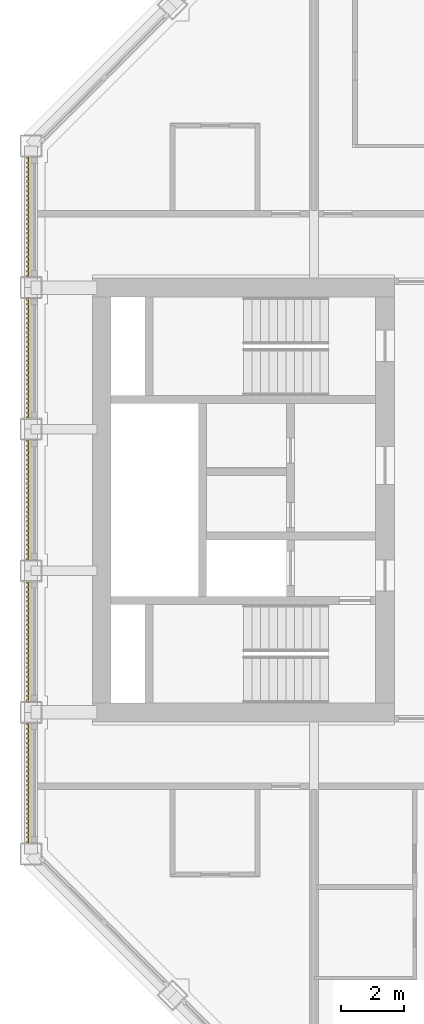
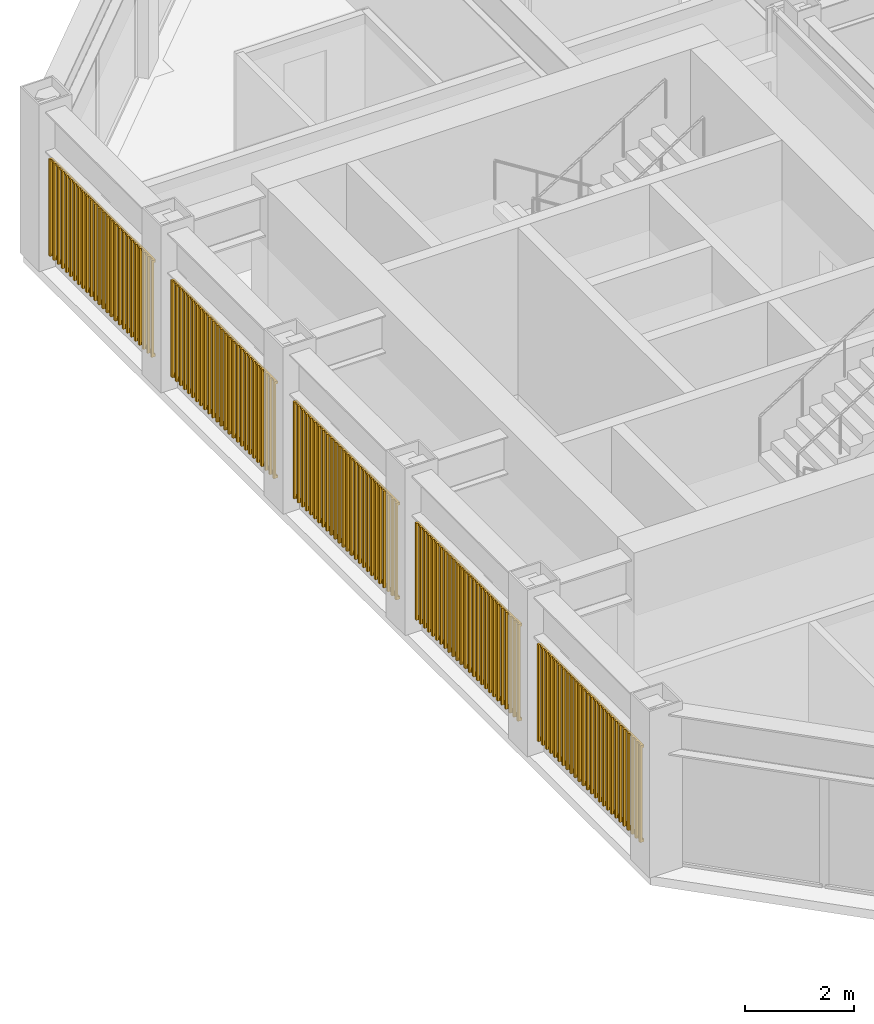
# One storey, part 15 of 18: 1 shading device.
"""IFC4 building model written with IfcOpenShell, lengths in metres."""

from ifc_helpers import new_model, si_unit, direction, frame, origin, origin_2d, place, context, subcontext, project, spatial, rectangle, extrude, material, type_object, element, save


model = new_model("IFC4")

# Units and contexts
model_context = context("Model", 3, precision=1e-05, world=origin(), true_north=direction((0.0, 1.0)))
body_context = subcontext(model_context, "Body", "Model", "MODEL_VIEW")
ifc_project = project(units=[si_unit("LENGTHUNIT", "METRE"), si_unit("AREAUNIT", "SQUARE_METRE"), si_unit("VOLUMEUNIT", "CUBIC_METRE"), si_unit("PLANEANGLEUNIT", "RADIAN"), si_unit("MASSUNIT", "GRAM", prefix="KILO")], contexts=[model_context])

# Site, building, storey
site_placement = place(None, origin())
site = spatial("IfcSite", under=ifc_project, at=site_placement, CompositionType="ELEMENT")
building_placement = place(site_placement, origin())
building = spatial("IfcBuilding", under=site, at=building_placement, Name="Msasa Ring Tower", CompositionType="ELEMENT")
storey_placement = place(building_placement, frame((0.0, 0.0, 249.550048828125)))
storey = spatial("IfcBuildingStorey", under=building, at=storey_placement, Name="L65", CompositionType="ELEMENT", Elevation=249.550048828125)

# Shading device
ifc_material = material(Name="Extruded terracotta on aluminium carriers", Category="masonry")
shading_device_type = type_object("IfcShadingDeviceType", Name="BS1 TERRACOTTA BAGUETTE SCREEN 50x50 AT 150", PredefinedType="USERDEFINED", material=ifc_material)
shading_device_placement = place(storey_placement, origin())
element("IfcShadingDevice", 1, at=shading_device_placement, inside=storey, type_object=shading_device_type, Name="Terracotta baguette screen W L65", ObjectType="BAGUETTE", PredefinedType="USERDEFINED", context=body_context, shape_type="SweptSolid", body=[
    extrude(rectangle(XDim=0.06005859375, YDim=0.0400390625, at=origin_2d()), frame((-20.330078125, -10.89990234375, 0.329833984375), z_axis=(0.0, 1.0, 0.0), x_axis=(0.0, 0.0, 1.0)), (0.0, 0.0, 1.0), 3.800048828125),
    extrude(rectangle(XDim=0.06005859375, YDim=0.0400390625, at=origin_2d()), frame((-20.330078125, -10.89990234375, 2.448974609375), z_axis=(0.0, 1.0, 0.0), x_axis=(0.0, 0.0, 1.0)), (0.0, 0.0, 1.0), 3.800048828125),
    extrude(rectangle(XDim=0.050048828125, YDim=0.050048828125, at=origin_2d()), frame((-20.3701171875, -10.875, 0.300048828125), z_axis=(0.0, 0.0, 1.0), x_axis=(0.0, 1.0, 0.0)), (0.0, 0.0, 1.0), 2.178955078125),
    extrude(rectangle(XDim=0.050048828125, YDim=0.050048828125, at=origin_2d()), frame((-20.3701171875, -10.72509765625, 0.300048828125), z_axis=(0.0, 0.0, 1.0), x_axis=(0.0, 1.0, 0.0)), (0.0, 0.0, 1.0), 2.178955078125),
    extrude(rectangle(XDim=0.050048828125, YDim=0.050048828125, at=origin_2d()), frame((-20.3701171875, -10.574951171875, 0.300048828125), z_axis=(0.0, 0.0, 1.0), x_axis=(0.0, 1.0, 0.0)), (0.0, 0.0, 1.0), 2.178955078125),
    extrude(rectangle(XDim=0.050048828125, YDim=0.050048828125, at=origin_2d()), frame((-20.3701171875, -10.425048828125, 0.300048828125), z_axis=(0.0, 0.0, 1.0), x_axis=(0.0, 1.0, 0.0)), (0.0, 0.0, 1.0), 2.178955078125),
    extrude(rectangle(XDim=0.050048828125, YDim=0.050048828125, at=origin_2d()), frame((-20.3701171875, -10.27490234375, 0.300048828125), z_axis=(0.0, 0.0, 1.0), x_axis=(0.0, 1.0, 0.0)), (0.0, 0.0, 1.0), 2.178955078125),
    extrude(rectangle(XDim=0.050048828125, YDim=0.050048828125, at=origin_2d()), frame((-20.3701171875, -10.125, 0.300048828125), z_axis=(0.0, 0.0, 1.0), x_axis=(0.0, 1.0, 0.0)), (0.0, 0.0, 1.0), 2.178955078125),
    extrude(rectangle(XDim=0.050048828125, YDim=0.050048828125, at=origin_2d()), frame((-20.3701171875, -9.97509765625, 0.300048828125), z_axis=(0.0, 0.0, 1.0), x_axis=(0.0, 1.0, 0.0)), (0.0, 0.0, 1.0), 2.178955078125),
    extrude(rectangle(XDim=0.050048828125, YDim=0.050048828125, at=origin_2d()), frame((-20.3701171875, -9.824951171875, 0.300048828125), z_axis=(0.0, 0.0, 1.0), x_axis=(0.0, 1.0, 0.0)), (0.0, 0.0, 1.0), 2.178955078125),
    extrude(rectangle(XDim=0.050048828125, YDim=0.050048828125, at=origin_2d()), frame((-20.3701171875, -9.675048828125, 0.300048828125), z_axis=(0.0, 0.0, 1.0), x_axis=(0.0, 1.0, 0.0)), (0.0, 0.0, 1.0), 2.178955078125),
    extrude(rectangle(XDim=0.050048828125, YDim=0.050048828125, at=origin_2d()), frame((-20.3701171875, -9.52490234375, 0.300048828125), z_axis=(0.0, 0.0, 1.0), x_axis=(0.0, 1.0, 0.0)), (0.0, 0.0, 1.0), 2.178955078125),
    extrude(rectangle(XDim=0.050048828125, YDim=0.050048828125, at=origin_2d()), frame((-20.3701171875, -9.375, 0.300048828125), z_axis=(0.0, 0.0, 1.0), x_axis=(0.0, 1.0, 0.0)), (0.0, 0.0, 1.0), 2.178955078125),
    extrude(rectangle(XDim=0.050048828125, YDim=0.050048828125, at=origin_2d()), frame((-20.3701171875, -9.22509765625, 0.300048828125), z_axis=(0.0, 0.0, 1.0), x_axis=(0.0, 1.0, 0.0)), (0.0, 0.0, 1.0), 2.178955078125),
    extrude(rectangle(XDim=0.050048828125, YDim=0.050048828125, at=origin_2d()), frame((-20.3701171875, -9.074951171875, 0.300048828125), z_axis=(0.0, 0.0, 1.0), x_axis=(0.0, 1.0, 0.0)), (0.0, 0.0, 1.0), 2.178955078125),
    extrude(rectangle(XDim=0.050048828125, YDim=0.050048828125, at=origin_2d()), frame((-20.3701171875, -8.925048828125, 0.300048828125), z_axis=(0.0, 0.0, 1.0), x_axis=(0.0, 1.0, 0.0)), (0.0, 0.0, 1.0), 2.178955078125),
    extrude(rectangle(XDim=0.050048828125, YDim=0.050048828125, at=origin_2d()), frame((-20.3701171875, -8.77490234375, 0.300048828125), z_axis=(0.0, 0.0, 1.0), x_axis=(0.0, 1.0, 0.0)), (0.0, 0.0, 1.0), 2.178955078125),
    extrude(rectangle(XDim=0.050048828125, YDim=0.050048828125, at=origin_2d()), frame((-20.3701171875, -8.625, 0.300048828125), z_axis=(0.0, 0.0, 1.0), x_axis=(0.0, 1.0, 0.0)), (0.0, 0.0, 1.0), 2.178955078125),
    extrude(rectangle(XDim=0.050048828125, YDim=0.050048828125, at=origin_2d()), frame((-20.3701171875, -8.47509765625, 0.300048828125), z_axis=(0.0, 0.0, 1.0), x_axis=(0.0, 1.0, 0.0)), (0.0, 0.0, 1.0), 2.178955078125),
    extrude(rectangle(XDim=0.050048828125, YDim=0.050048828125, at=origin_2d()), frame((-20.3701171875, -8.324951171875, 0.300048828125), z_axis=(0.0, 0.0, 1.0), x_axis=(0.0, 1.0, 0.0)), (0.0, 0.0, 1.0), 2.178955078125),
    extrude(rectangle(XDim=0.050048828125, YDim=0.050048828125, at=origin_2d()), frame((-20.3701171875, -8.175048828125, 0.300048828125), z_axis=(0.0, 0.0, 1.0), x_axis=(0.0, 1.0, 0.0)), (0.0, 0.0, 1.0), 2.178955078125),
    extrude(rectangle(XDim=0.050048828125, YDim=0.050048828125, at=origin_2d()), frame((-20.3701171875, -8.02490234375, 0.300048828125), z_axis=(0.0, 0.0, 1.0), x_axis=(0.0, 1.0, 0.0)), (0.0, 0.0, 1.0), 2.178955078125),
    extrude(rectangle(XDim=0.050048828125, YDim=0.050048828125, at=origin_2d()), frame((-20.3701171875, -7.875, 0.300048828125), z_axis=(0.0, 0.0, 1.0), x_axis=(0.0, 1.0, 0.0)), (0.0, 0.0, 1.0), 2.178955078125),
    extrude(rectangle(XDim=0.050048828125, YDim=0.050048828125, at=origin_2d()), frame((-20.3701171875, -7.72509765625, 0.300048828125), z_axis=(0.0, 0.0, 1.0), x_axis=(0.0, 1.0, 0.0)), (0.0, 0.0, 1.0), 2.178955078125),
    extrude(rectangle(XDim=0.050048828125, YDim=0.050048828125, at=origin_2d()), frame((-20.3701171875, -7.574951171875, 0.300048828125), z_axis=(0.0, 0.0, 1.0), x_axis=(0.0, 1.0, 0.0)), (0.0, 0.0, 1.0), 2.178955078125),
    extrude(rectangle(XDim=0.050048828125, YDim=0.050048828125, at=origin_2d()), frame((-20.3701171875, -7.425048828125, 0.300048828125), z_axis=(0.0, 0.0, 1.0), x_axis=(0.0, 1.0, 0.0)), (0.0, 0.0, 1.0), 2.178955078125),
    extrude(rectangle(XDim=0.050048828125, YDim=0.050048828125, at=origin_2d()), frame((-20.3701171875, -7.27490234375, 0.300048828125), z_axis=(0.0, 0.0, 1.0), x_axis=(0.0, 1.0, 0.0)), (0.0, 0.0, 1.0), 2.178955078125),
    extrude(rectangle(XDim=0.050048828125, YDim=0.050048828125, at=origin_2d()), frame((-20.3701171875, -7.125, 0.300048828125), z_axis=(0.0, 0.0, 1.0), x_axis=(0.0, 1.0, 0.0)), (0.0, 0.0, 1.0), 2.178955078125),
    extrude(rectangle(XDim=0.06005859375, YDim=0.0400390625, at=origin_2d()), frame((-20.330078125, -6.39990234375, 0.329833984375), z_axis=(0.0, 1.0, 0.0), x_axis=(0.0, 0.0, 1.0)), (0.0, 0.0, 1.0), 3.800048828125),
    extrude(rectangle(XDim=0.06005859375, YDim=0.0400390625, at=origin_2d()), frame((-20.330078125, -6.39990234375, 2.448974609375), z_axis=(0.0, 1.0, 0.0), x_axis=(0.0, 0.0, 1.0)), (0.0, 0.0, 1.0), 3.800048828125),
    extrude(rectangle(XDim=0.050048828125, YDim=0.050048828125, at=origin_2d()), frame((-20.3701171875, -6.375, 0.300048828125), z_axis=(0.0, 0.0, 1.0), x_axis=(0.0, 1.0, 0.0)), (0.0, 0.0, 1.0), 2.178955078125),
    extrude(rectangle(XDim=0.050048828125, YDim=0.050048828125, at=origin_2d()), frame((-20.3701171875, -6.22509765625, 0.300048828125), z_axis=(0.0, 0.0, 1.0), x_axis=(0.0, 1.0, 0.0)), (0.0, 0.0, 1.0), 2.178955078125),
    extrude(rectangle(XDim=0.050048828125, YDim=0.050048828125, at=origin_2d()), frame((-20.3701171875, -6.074951171875, 0.300048828125), z_axis=(0.0, 0.0, 1.0), x_axis=(0.0, 1.0, 0.0)), (0.0, 0.0, 1.0), 2.178955078125),
    extrude(rectangle(XDim=0.050048828125, YDim=0.050048828125, at=origin_2d()), frame((-20.3701171875, -5.925048828125, 0.300048828125), z_axis=(0.0, 0.0, 1.0), x_axis=(0.0, 1.0, 0.0)), (0.0, 0.0, 1.0), 2.178955078125),
    extrude(rectangle(XDim=0.050048828125, YDim=0.050048828125, at=origin_2d()), frame((-20.3701171875, -5.77490234375, 0.300048828125), z_axis=(0.0, 0.0, 1.0), x_axis=(0.0, 1.0, 0.0)), (0.0, 0.0, 1.0), 2.178955078125),
    extrude(rectangle(XDim=0.050048828125, YDim=0.050048828125, at=origin_2d()), frame((-20.3701171875, -5.625, 0.300048828125), z_axis=(0.0, 0.0, 1.0), x_axis=(0.0, 1.0, 0.0)), (0.0, 0.0, 1.0), 2.178955078125),
    extrude(rectangle(XDim=0.050048828125, YDim=0.050048828125, at=origin_2d()), frame((-20.3701171875, -5.47509765625, 0.300048828125), z_axis=(0.0, 0.0, 1.0), x_axis=(0.0, 1.0, 0.0)), (0.0, 0.0, 1.0), 2.178955078125),
    extrude(rectangle(XDim=0.050048828125, YDim=0.050048828125, at=origin_2d()), frame((-20.3701171875, -5.324951171875, 0.300048828125), z_axis=(0.0, 0.0, 1.0), x_axis=(0.0, 1.0, 0.0)), (0.0, 0.0, 1.0), 2.178955078125),
    extrude(rectangle(XDim=0.050048828125, YDim=0.050048828125, at=origin_2d()), frame((-20.3701171875, -5.175048828125, 0.300048828125), z_axis=(0.0, 0.0, 1.0), x_axis=(0.0, 1.0, 0.0)), (0.0, 0.0, 1.0), 2.178955078125),
    extrude(rectangle(XDim=0.050048828125, YDim=0.050048828125, at=origin_2d()), frame((-20.3701171875, -5.02490234375, 0.300048828125), z_axis=(0.0, 0.0, 1.0), x_axis=(0.0, 1.0, 0.0)), (0.0, 0.0, 1.0), 2.178955078125),
    extrude(rectangle(XDim=0.050048828125, YDim=0.050048828125, at=origin_2d()), frame((-20.3701171875, -4.875, 0.300048828125), z_axis=(0.0, 0.0, 1.0), x_axis=(0.0, 1.0, 0.0)), (0.0, 0.0, 1.0), 2.178955078125),
    extrude(rectangle(XDim=0.050048828125, YDim=0.050048828125, at=origin_2d()), frame((-20.3701171875, -4.72509765625, 0.300048828125), z_axis=(0.0, 0.0, 1.0), x_axis=(0.0, 1.0, 0.0)), (0.0, 0.0, 1.0), 2.178955078125),
    extrude(rectangle(XDim=0.050048828125, YDim=0.050048828125, at=origin_2d()), frame((-20.3701171875, -4.574951171875, 0.300048828125), z_axis=(0.0, 0.0, 1.0), x_axis=(0.0, 1.0, 0.0)), (0.0, 0.0, 1.0), 2.178955078125),
    extrude(rectangle(XDim=0.050048828125, YDim=0.050048828125, at=origin_2d()), frame((-20.3701171875, -4.425048828125, 0.300048828125), z_axis=(0.0, 0.0, 1.0), x_axis=(0.0, 1.0, 0.0)), (0.0, 0.0, 1.0), 2.178955078125),
    extrude(rectangle(XDim=0.050048828125, YDim=0.050048828125, at=origin_2d()), frame((-20.3701171875, -4.27490234375, 0.300048828125), z_axis=(0.0, 0.0, 1.0), x_axis=(0.0, 1.0, 0.0)), (0.0, 0.0, 1.0), 2.178955078125),
    extrude(rectangle(XDim=0.050048828125, YDim=0.050048828125, at=origin_2d()), frame((-20.3701171875, -4.125, 0.300048828125), z_axis=(0.0, 0.0, 1.0), x_axis=(0.0, 1.0, 0.0)), (0.0, 0.0, 1.0), 2.178955078125),
    extrude(rectangle(XDim=0.050048828125, YDim=0.050048828125, at=origin_2d()), frame((-20.3701171875, -3.97509765625, 0.300048828125), z_axis=(0.0, 0.0, 1.0), x_axis=(0.0, 1.0, 0.0)), (0.0, 0.0, 1.0), 2.178955078125),
    extrude(rectangle(XDim=0.050048828125, YDim=0.050048828125, at=origin_2d()), frame((-20.3701171875, -3.824951171875, 0.300048828125), z_axis=(0.0, 0.0, 1.0), x_axis=(0.0, 1.0, 0.0)), (0.0, 0.0, 1.0), 2.178955078125),
    extrude(rectangle(XDim=0.050048828125, YDim=0.050048828125, at=origin_2d()), frame((-20.3701171875, -3.675048828125, 0.300048828125), z_axis=(0.0, 0.0, 1.0), x_axis=(0.0, 1.0, 0.0)), (0.0, 0.0, 1.0), 2.178955078125),
    extrude(rectangle(XDim=0.050048828125, YDim=0.050048828125, at=origin_2d()), frame((-20.3701171875, -3.52490234375, 0.300048828125), z_axis=(0.0, 0.0, 1.0), x_axis=(0.0, 1.0, 0.0)), (0.0, 0.0, 1.0), 2.178955078125),
    extrude(rectangle(XDim=0.050048828125, YDim=0.050048828125, at=origin_2d()), frame((-20.3701171875, -3.375, 0.300048828125), z_axis=(0.0, 0.0, 1.0), x_axis=(0.0, 1.0, 0.0)), (0.0, 0.0, 1.0), 2.178955078125),
    extrude(rectangle(XDim=0.050048828125, YDim=0.050048828125, at=origin_2d()), frame((-20.3701171875, -3.22509765625, 0.300048828125), z_axis=(0.0, 0.0, 1.0), x_axis=(0.0, 1.0, 0.0)), (0.0, 0.0, 1.0), 2.178955078125),
    extrude(rectangle(XDim=0.050048828125, YDim=0.050048828125, at=origin_2d()), frame((-20.3701171875, -3.074951171875, 0.300048828125), z_axis=(0.0, 0.0, 1.0), x_axis=(0.0, 1.0, 0.0)), (0.0, 0.0, 1.0), 2.178955078125),
    extrude(rectangle(XDim=0.050048828125, YDim=0.050048828125, at=origin_2d()), frame((-20.3701171875, -2.925048828125, 0.300048828125), z_axis=(0.0, 0.0, 1.0), x_axis=(0.0, 1.0, 0.0)), (0.0, 0.0, 1.0), 2.178955078125),
    extrude(rectangle(XDim=0.050048828125, YDim=0.050048828125, at=origin_2d()), frame((-20.3701171875, -2.77490234375, 0.300048828125), z_axis=(0.0, 0.0, 1.0), x_axis=(0.0, 1.0, 0.0)), (0.0, 0.0, 1.0), 2.178955078125),
    extrude(rectangle(XDim=0.050048828125, YDim=0.050048828125, at=origin_2d()), frame((-20.3701171875, -2.625, 0.300048828125), z_axis=(0.0, 0.0, 1.0), x_axis=(0.0, 1.0, 0.0)), (0.0, 0.0, 1.0), 2.178955078125),
    extrude(rectangle(XDim=0.06005859375, YDim=0.0400390625, at=origin_2d()), frame((-20.330078125, -1.89990234375, 0.329833984375), z_axis=(0.0, 1.0, 0.0), x_axis=(0.0, 0.0, 1.0)), (0.0, 0.0, 1.0), 3.800048828125),
    extrude(rectangle(XDim=0.06005859375, YDim=0.0400390625, at=origin_2d()), frame((-20.330078125, -1.89990234375, 2.448974609375), z_axis=(0.0, 1.0, 0.0), x_axis=(0.0, 0.0, 1.0)), (0.0, 0.0, 1.0), 3.800048828125),
    extrude(rectangle(XDim=0.050048828125, YDim=0.050048828125, at=origin_2d()), frame((-20.3701171875, -1.875, 0.300048828125), z_axis=(0.0, 0.0, 1.0), x_axis=(0.0, 1.0, 0.0)), (0.0, 0.0, 1.0), 2.178955078125),
    extrude(rectangle(XDim=0.050048828125, YDim=0.050048828125, at=origin_2d()), frame((-20.3701171875, -1.72509765625, 0.300048828125), z_axis=(0.0, 0.0, 1.0), x_axis=(0.0, 1.0, 0.0)), (0.0, 0.0, 1.0), 2.178955078125),
    extrude(rectangle(XDim=0.050048828125, YDim=0.050048828125, at=origin_2d()), frame((-20.3701171875, -1.574951171875, 0.300048828125), z_axis=(0.0, 0.0, 1.0), x_axis=(0.0, 1.0, 0.0)), (0.0, 0.0, 1.0), 2.178955078125),
    extrude(rectangle(XDim=0.050048828125, YDim=0.050048828125, at=origin_2d()), frame((-20.3701171875, -1.425048828125, 0.300048828125), z_axis=(0.0, 0.0, 1.0), x_axis=(0.0, 1.0, 0.0)), (0.0, 0.0, 1.0), 2.178955078125),
    extrude(rectangle(XDim=0.050048828125, YDim=0.050048828125, at=origin_2d()), frame((-20.3701171875, -1.27490234375, 0.300048828125), z_axis=(0.0, 0.0, 1.0), x_axis=(0.0, 1.0, 0.0)), (0.0, 0.0, 1.0), 2.178955078125),
    extrude(rectangle(XDim=0.050048828125, YDim=0.050048828125, at=origin_2d()), frame((-20.3701171875, -1.125, 0.300048828125), z_axis=(0.0, 0.0, 1.0), x_axis=(0.0, 1.0, 0.0)), (0.0, 0.0, 1.0), 2.178955078125),
    extrude(rectangle(XDim=0.050048828125, YDim=0.050048828125, at=origin_2d()), frame((-20.3701171875, -0.97509765625, 0.300048828125), z_axis=(0.0, 0.0, 1.0), x_axis=(0.0, 1.0, 0.0)), (0.0, 0.0, 1.0), 2.178955078125),
    extrude(rectangle(XDim=0.050048828125, YDim=0.050048828125, at=origin_2d()), frame((-20.3701171875, -0.824951171875, 0.300048828125), z_axis=(0.0, 0.0, 1.0), x_axis=(0.0, 1.0, 0.0)), (0.0, 0.0, 1.0), 2.178955078125),
    extrude(rectangle(XDim=0.050048828125, YDim=0.050048828125, at=origin_2d()), frame((-20.3701171875, -0.675048828125, 0.300048828125), z_axis=(0.0, 0.0, 1.0), x_axis=(0.0, 1.0, 0.0)), (0.0, 0.0, 1.0), 2.178955078125),
    extrude(rectangle(XDim=0.050048828125, YDim=0.050048828125, at=origin_2d()), frame((-20.3701171875, -0.52490234375, 0.300048828125), z_axis=(0.0, 0.0, 1.0), x_axis=(0.0, 1.0, 0.0)), (0.0, 0.0, 1.0), 2.178955078125),
    extrude(rectangle(XDim=0.050048828125, YDim=0.050048828125, at=origin_2d()), frame((-20.3701171875, -0.375, 0.300048828125), z_axis=(0.0, 0.0, 1.0), x_axis=(0.0, 1.0, 0.0)), (0.0, 0.0, 1.0), 2.178955078125),
    extrude(rectangle(XDim=0.050048828125, YDim=0.050048828125, at=origin_2d()), frame((-20.3701171875, -0.22509765625, 0.300048828125), z_axis=(0.0, 0.0, 1.0), x_axis=(0.0, 1.0, 0.0)), (0.0, 0.0, 1.0), 2.178955078125),
    extrude(rectangle(XDim=0.050048828125, YDim=0.050048828125, at=origin_2d()), frame((-20.3701171875, -0.074951171875, 0.300048828125), z_axis=(0.0, 0.0, 1.0), x_axis=(0.0, 1.0, 0.0)), (0.0, 0.0, 1.0), 2.178955078125),
    extrude(rectangle(XDim=0.050048828125, YDim=0.050048828125, at=origin_2d()), frame((-20.3701171875, 0.074951171875, 0.300048828125), z_axis=(0.0, 0.0, 1.0), x_axis=(0.0, 1.0, 0.0)), (0.0, 0.0, 1.0), 2.178955078125),
    extrude(rectangle(XDim=0.050048828125, YDim=0.050048828125, at=origin_2d()), frame((-20.3701171875, 0.22509765625, 0.300048828125), z_axis=(0.0, 0.0, 1.0), x_axis=(0.0, 1.0, 0.0)), (0.0, 0.0, 1.0), 2.178955078125),
    extrude(rectangle(XDim=0.050048828125, YDim=0.050048828125, at=origin_2d()), frame((-20.3701171875, 0.375, 0.300048828125), z_axis=(0.0, 0.0, 1.0), x_axis=(0.0, 1.0, 0.0)), (0.0, 0.0, 1.0), 2.178955078125),
    extrude(rectangle(XDim=0.050048828125, YDim=0.050048828125, at=origin_2d()), frame((-20.3701171875, 0.52490234375, 0.300048828125), z_axis=(0.0, 0.0, 1.0), x_axis=(0.0, 1.0, 0.0)), (0.0, 0.0, 1.0), 2.178955078125),
    extrude(rectangle(XDim=0.050048828125, YDim=0.050048828125, at=origin_2d()), frame((-20.3701171875, 0.675048828125, 0.300048828125), z_axis=(0.0, 0.0, 1.0), x_axis=(0.0, 1.0, 0.0)), (0.0, 0.0, 1.0), 2.178955078125),
    extrude(rectangle(XDim=0.050048828125, YDim=0.050048828125, at=origin_2d()), frame((-20.3701171875, 0.824951171875, 0.300048828125), z_axis=(0.0, 0.0, 1.0), x_axis=(0.0, 1.0, 0.0)), (0.0, 0.0, 1.0), 2.178955078125),
    extrude(rectangle(XDim=0.050048828125, YDim=0.050048828125, at=origin_2d()), frame((-20.3701171875, 0.97509765625, 0.300048828125), z_axis=(0.0, 0.0, 1.0), x_axis=(0.0, 1.0, 0.0)), (0.0, 0.0, 1.0), 2.178955078125),
    extrude(rectangle(XDim=0.050048828125, YDim=0.050048828125, at=origin_2d()), frame((-20.3701171875, 1.125, 0.300048828125), z_axis=(0.0, 0.0, 1.0), x_axis=(0.0, 1.0, 0.0)), (0.0, 0.0, 1.0), 2.178955078125),
    extrude(rectangle(XDim=0.050048828125, YDim=0.050048828125, at=origin_2d()), frame((-20.3701171875, 1.27490234375, 0.300048828125), z_axis=(0.0, 0.0, 1.0), x_axis=(0.0, 1.0, 0.0)), (0.0, 0.0, 1.0), 2.178955078125),
    extrude(rectangle(XDim=0.050048828125, YDim=0.050048828125, at=origin_2d()), frame((-20.3701171875, 1.425048828125, 0.300048828125), z_axis=(0.0, 0.0, 1.0), x_axis=(0.0, 1.0, 0.0)), (0.0, 0.0, 1.0), 2.178955078125),
    extrude(rectangle(XDim=0.050048828125, YDim=0.050048828125, at=origin_2d()), frame((-20.3701171875, 1.574951171875, 0.300048828125), z_axis=(0.0, 0.0, 1.0), x_axis=(0.0, 1.0, 0.0)), (0.0, 0.0, 1.0), 2.178955078125),
    extrude(rectangle(XDim=0.050048828125, YDim=0.050048828125, at=origin_2d()), frame((-20.3701171875, 1.72509765625, 0.300048828125), z_axis=(0.0, 0.0, 1.0), x_axis=(0.0, 1.0, 0.0)), (0.0, 0.0, 1.0), 2.178955078125),
    extrude(rectangle(XDim=0.050048828125, YDim=0.050048828125, at=origin_2d()), frame((-20.3701171875, 1.875, 0.300048828125), z_axis=(0.0, 0.0, 1.0), x_axis=(0.0, 1.0, 0.0)), (0.0, 0.0, 1.0), 2.178955078125),
    extrude(rectangle(XDim=0.06005859375, YDim=0.0400390625, at=origin_2d()), frame((-20.330078125, 2.60009765625, 0.329833984375), z_axis=(0.0, 1.0, 0.0), x_axis=(0.0, 0.0, 1.0)), (0.0, 0.0, 1.0), 3.800048828125),
    extrude(rectangle(XDim=0.06005859375, YDim=0.0400390625, at=origin_2d()), frame((-20.330078125, 2.60009765625, 2.448974609375), z_axis=(0.0, 1.0, 0.0), x_axis=(0.0, 0.0, 1.0)), (0.0, 0.0, 1.0), 3.800048828125),
    extrude(rectangle(XDim=0.050048828125, YDim=0.050048828125, at=origin_2d()), frame((-20.3701171875, 2.625, 0.300048828125), z_axis=(0.0, 0.0, 1.0), x_axis=(0.0, 1.0, 0.0)), (0.0, 0.0, 1.0), 2.178955078125),
    extrude(rectangle(XDim=0.050048828125, YDim=0.050048828125, at=origin_2d()), frame((-20.3701171875, 2.77490234375, 0.300048828125), z_axis=(0.0, 0.0, 1.0), x_axis=(0.0, 1.0, 0.0)), (0.0, 0.0, 1.0), 2.178955078125),
    extrude(rectangle(XDim=0.050048828125, YDim=0.050048828125, at=origin_2d()), frame((-20.3701171875, 2.925048828125, 0.300048828125), z_axis=(0.0, 0.0, 1.0), x_axis=(0.0, 1.0, 0.0)), (0.0, 0.0, 1.0), 2.178955078125),
    extrude(rectangle(XDim=0.050048828125, YDim=0.050048828125, at=origin_2d()), frame((-20.3701171875, 3.074951171875, 0.300048828125), z_axis=(0.0, 0.0, 1.0), x_axis=(0.0, 1.0, 0.0)), (0.0, 0.0, 1.0), 2.178955078125),
    extrude(rectangle(XDim=0.050048828125, YDim=0.050048828125, at=origin_2d()), frame((-20.3701171875, 3.22509765625, 0.300048828125), z_axis=(0.0, 0.0, 1.0), x_axis=(0.0, 1.0, 0.0)), (0.0, 0.0, 1.0), 2.178955078125),
    extrude(rectangle(XDim=0.050048828125, YDim=0.050048828125, at=origin_2d()), frame((-20.3701171875, 3.375, 0.300048828125), z_axis=(0.0, 0.0, 1.0), x_axis=(0.0, 1.0, 0.0)), (0.0, 0.0, 1.0), 2.178955078125),
    extrude(rectangle(XDim=0.050048828125, YDim=0.050048828125, at=origin_2d()), frame((-20.3701171875, 3.52490234375, 0.300048828125), z_axis=(0.0, 0.0, 1.0), x_axis=(0.0, 1.0, 0.0)), (0.0, 0.0, 1.0), 2.178955078125),
    extrude(rectangle(XDim=0.050048828125, YDim=0.050048828125, at=origin_2d()), frame((-20.3701171875, 3.675048828125, 0.300048828125), z_axis=(0.0, 0.0, 1.0), x_axis=(0.0, 1.0, 0.0)), (0.0, 0.0, 1.0), 2.178955078125),
    extrude(rectangle(XDim=0.050048828125, YDim=0.050048828125, at=origin_2d()), frame((-20.3701171875, 3.824951171875, 0.300048828125), z_axis=(0.0, 0.0, 1.0), x_axis=(0.0, 1.0, 0.0)), (0.0, 0.0, 1.0), 2.178955078125),
    extrude(rectangle(XDim=0.050048828125, YDim=0.050048828125, at=origin_2d()), frame((-20.3701171875, 3.97509765625, 0.300048828125), z_axis=(0.0, 0.0, 1.0), x_axis=(0.0, 1.0, 0.0)), (0.0, 0.0, 1.0), 2.178955078125),
    extrude(rectangle(XDim=0.050048828125, YDim=0.050048828125, at=origin_2d()), frame((-20.3701171875, 4.125, 0.300048828125), z_axis=(0.0, 0.0, 1.0), x_axis=(0.0, 1.0, 0.0)), (0.0, 0.0, 1.0), 2.178955078125),
    extrude(rectangle(XDim=0.050048828125, YDim=0.050048828125, at=origin_2d()), frame((-20.3701171875, 4.27490234375, 0.300048828125), z_axis=(0.0, 0.0, 1.0), x_axis=(0.0, 1.0, 0.0)), (0.0, 0.0, 1.0), 2.178955078125),
    extrude(rectangle(XDim=0.050048828125, YDim=0.050048828125, at=origin_2d()), frame((-20.3701171875, 4.425048828125, 0.300048828125), z_axis=(0.0, 0.0, 1.0), x_axis=(0.0, 1.0, 0.0)), (0.0, 0.0, 1.0), 2.178955078125),
    extrude(rectangle(XDim=0.050048828125, YDim=0.050048828125, at=origin_2d()), frame((-20.3701171875, 4.574951171875, 0.300048828125), z_axis=(0.0, 0.0, 1.0), x_axis=(0.0, 1.0, 0.0)), (0.0, 0.0, 1.0), 2.178955078125),
    extrude(rectangle(XDim=0.050048828125, YDim=0.050048828125, at=origin_2d()), frame((-20.3701171875, 4.72509765625, 0.300048828125), z_axis=(0.0, 0.0, 1.0), x_axis=(0.0, 1.0, 0.0)), (0.0, 0.0, 1.0), 2.178955078125),
    extrude(rectangle(XDim=0.050048828125, YDim=0.050048828125, at=origin_2d()), frame((-20.3701171875, 4.875, 0.300048828125), z_axis=(0.0, 0.0, 1.0), x_axis=(0.0, 1.0, 0.0)), (0.0, 0.0, 1.0), 2.178955078125),
    extrude(rectangle(XDim=0.050048828125, YDim=0.050048828125, at=origin_2d()), frame((-20.3701171875, 5.02490234375, 0.300048828125), z_axis=(0.0, 0.0, 1.0), x_axis=(0.0, 1.0, 0.0)), (0.0, 0.0, 1.0), 2.178955078125),
    extrude(rectangle(XDim=0.050048828125, YDim=0.050048828125, at=origin_2d()), frame((-20.3701171875, 5.175048828125, 0.300048828125), z_axis=(0.0, 0.0, 1.0), x_axis=(0.0, 1.0, 0.0)), (0.0, 0.0, 1.0), 2.178955078125),
    extrude(rectangle(XDim=0.050048828125, YDim=0.050048828125, at=origin_2d()), frame((-20.3701171875, 5.324951171875, 0.300048828125), z_axis=(0.0, 0.0, 1.0), x_axis=(0.0, 1.0, 0.0)), (0.0, 0.0, 1.0), 2.178955078125),
    extrude(rectangle(XDim=0.050048828125, YDim=0.050048828125, at=origin_2d()), frame((-20.3701171875, 5.47509765625, 0.300048828125), z_axis=(0.0, 0.0, 1.0), x_axis=(0.0, 1.0, 0.0)), (0.0, 0.0, 1.0), 2.178955078125),
    extrude(rectangle(XDim=0.050048828125, YDim=0.050048828125, at=origin_2d()), frame((-20.3701171875, 5.625, 0.300048828125), z_axis=(0.0, 0.0, 1.0), x_axis=(0.0, 1.0, 0.0)), (0.0, 0.0, 1.0), 2.178955078125),
    extrude(rectangle(XDim=0.050048828125, YDim=0.050048828125, at=origin_2d()), frame((-20.3701171875, 5.77490234375, 0.300048828125), z_axis=(0.0, 0.0, 1.0), x_axis=(0.0, 1.0, 0.0)), (0.0, 0.0, 1.0), 2.178955078125),
    extrude(rectangle(XDim=0.050048828125, YDim=0.050048828125, at=origin_2d()), frame((-20.3701171875, 5.925048828125, 0.300048828125), z_axis=(0.0, 0.0, 1.0), x_axis=(0.0, 1.0, 0.0)), (0.0, 0.0, 1.0), 2.178955078125),
    extrude(rectangle(XDim=0.050048828125, YDim=0.050048828125, at=origin_2d()), frame((-20.3701171875, 6.074951171875, 0.300048828125), z_axis=(0.0, 0.0, 1.0), x_axis=(0.0, 1.0, 0.0)), (0.0, 0.0, 1.0), 2.178955078125),
    extrude(rectangle(XDim=0.050048828125, YDim=0.050048828125, at=origin_2d()), frame((-20.3701171875, 6.22509765625, 0.300048828125), z_axis=(0.0, 0.0, 1.0), x_axis=(0.0, 1.0, 0.0)), (0.0, 0.0, 1.0), 2.178955078125),
    extrude(rectangle(XDim=0.050048828125, YDim=0.050048828125, at=origin_2d()), frame((-20.3701171875, 6.375, 0.300048828125), z_axis=(0.0, 0.0, 1.0), x_axis=(0.0, 1.0, 0.0)), (0.0, 0.0, 1.0), 2.178955078125),
    extrude(rectangle(XDim=0.06005859375, YDim=0.0400390625, at=origin_2d()), frame((-20.330078125, 7.10009765625, 0.329833984375), z_axis=(0.0, 1.0, 0.0), x_axis=(0.0, 0.0, 1.0)), (0.0, 0.0, 1.0), 3.800048828125),
    extrude(rectangle(XDim=0.06005859375, YDim=0.0400390625, at=origin_2d()), frame((-20.330078125, 7.10009765625, 2.448974609375), z_axis=(0.0, 1.0, 0.0), x_axis=(0.0, 0.0, 1.0)), (0.0, 0.0, 1.0), 3.800048828125),
    extrude(rectangle(XDim=0.050048828125, YDim=0.050048828125, at=origin_2d()), frame((-20.3701171875, 7.125, 0.300048828125), z_axis=(0.0, 0.0, 1.0), x_axis=(0.0, 1.0, 0.0)), (0.0, 0.0, 1.0), 2.178955078125),
    extrude(rectangle(XDim=0.050048828125, YDim=0.050048828125, at=origin_2d()), frame((-20.3701171875, 7.27490234375, 0.300048828125), z_axis=(0.0, 0.0, 1.0), x_axis=(0.0, 1.0, 0.0)), (0.0, 0.0, 1.0), 2.178955078125),
    extrude(rectangle(XDim=0.050048828125, YDim=0.050048828125, at=origin_2d()), frame((-20.3701171875, 7.425048828125, 0.300048828125), z_axis=(0.0, 0.0, 1.0), x_axis=(0.0, 1.0, 0.0)), (0.0, 0.0, 1.0), 2.178955078125),
    extrude(rectangle(XDim=0.050048828125, YDim=0.050048828125, at=origin_2d()), frame((-20.3701171875, 7.574951171875, 0.300048828125), z_axis=(0.0, 0.0, 1.0), x_axis=(0.0, 1.0, 0.0)), (0.0, 0.0, 1.0), 2.178955078125),
    extrude(rectangle(XDim=0.050048828125, YDim=0.050048828125, at=origin_2d()), frame((-20.3701171875, 7.72509765625, 0.300048828125), z_axis=(0.0, 0.0, 1.0), x_axis=(0.0, 1.0, 0.0)), (0.0, 0.0, 1.0), 2.178955078125),
    extrude(rectangle(XDim=0.050048828125, YDim=0.050048828125, at=origin_2d()), frame((-20.3701171875, 7.875, 0.300048828125), z_axis=(0.0, 0.0, 1.0), x_axis=(0.0, 1.0, 0.0)), (0.0, 0.0, 1.0), 2.178955078125),
    extrude(rectangle(XDim=0.050048828125, YDim=0.050048828125, at=origin_2d()), frame((-20.3701171875, 8.02490234375, 0.300048828125), z_axis=(0.0, 0.0, 1.0), x_axis=(0.0, 1.0, 0.0)), (0.0, 0.0, 1.0), 2.178955078125),
    extrude(rectangle(XDim=0.050048828125, YDim=0.050048828125, at=origin_2d()), frame((-20.3701171875, 8.175048828125, 0.300048828125), z_axis=(0.0, 0.0, 1.0), x_axis=(0.0, 1.0, 0.0)), (0.0, 0.0, 1.0), 2.178955078125),
    extrude(rectangle(XDim=0.050048828125, YDim=0.050048828125, at=origin_2d()), frame((-20.3701171875, 8.324951171875, 0.300048828125), z_axis=(0.0, 0.0, 1.0), x_axis=(0.0, 1.0, 0.0)), (0.0, 0.0, 1.0), 2.178955078125),
    extrude(rectangle(XDim=0.050048828125, YDim=0.050048828125, at=origin_2d()), frame((-20.3701171875, 8.47509765625, 0.300048828125), z_axis=(0.0, 0.0, 1.0), x_axis=(0.0, 1.0, 0.0)), (0.0, 0.0, 1.0), 2.178955078125),
    extrude(rectangle(XDim=0.050048828125, YDim=0.050048828125, at=origin_2d()), frame((-20.3701171875, 8.625, 0.300048828125), z_axis=(0.0, 0.0, 1.0), x_axis=(0.0, 1.0, 0.0)), (0.0, 0.0, 1.0), 2.178955078125),
    extrude(rectangle(XDim=0.050048828125, YDim=0.050048828125, at=origin_2d()), frame((-20.3701171875, 8.77490234375, 0.300048828125), z_axis=(0.0, 0.0, 1.0), x_axis=(0.0, 1.0, 0.0)), (0.0, 0.0, 1.0), 2.178955078125),
    extrude(rectangle(XDim=0.050048828125, YDim=0.050048828125, at=origin_2d()), frame((-20.3701171875, 8.925048828125, 0.300048828125), z_axis=(0.0, 0.0, 1.0), x_axis=(0.0, 1.0, 0.0)), (0.0, 0.0, 1.0), 2.178955078125),
    extrude(rectangle(XDim=0.050048828125, YDim=0.050048828125, at=origin_2d()), frame((-20.3701171875, 9.074951171875, 0.300048828125), z_axis=(0.0, 0.0, 1.0), x_axis=(0.0, 1.0, 0.0)), (0.0, 0.0, 1.0), 2.178955078125),
    extrude(rectangle(XDim=0.050048828125, YDim=0.050048828125, at=origin_2d()), frame((-20.3701171875, 9.22509765625, 0.300048828125), z_axis=(0.0, 0.0, 1.0), x_axis=(0.0, 1.0, 0.0)), (0.0, 0.0, 1.0), 2.178955078125),
    extrude(rectangle(XDim=0.050048828125, YDim=0.050048828125, at=origin_2d()), frame((-20.3701171875, 9.375, 0.300048828125), z_axis=(0.0, 0.0, 1.0), x_axis=(0.0, 1.0, 0.0)), (0.0, 0.0, 1.0), 2.178955078125),
    extrude(rectangle(XDim=0.050048828125, YDim=0.050048828125, at=origin_2d()), frame((-20.3701171875, 9.52490234375, 0.300048828125), z_axis=(0.0, 0.0, 1.0), x_axis=(0.0, 1.0, 0.0)), (0.0, 0.0, 1.0), 2.178955078125),
    extrude(rectangle(XDim=0.050048828125, YDim=0.050048828125, at=origin_2d()), frame((-20.3701171875, 9.675048828125, 0.300048828125), z_axis=(0.0, 0.0, 1.0), x_axis=(0.0, 1.0, 0.0)), (0.0, 0.0, 1.0), 2.178955078125),
    extrude(rectangle(XDim=0.050048828125, YDim=0.050048828125, at=origin_2d()), frame((-20.3701171875, 9.824951171875, 0.300048828125), z_axis=(0.0, 0.0, 1.0), x_axis=(0.0, 1.0, 0.0)), (0.0, 0.0, 1.0), 2.178955078125),
    extrude(rectangle(XDim=0.050048828125, YDim=0.050048828125, at=origin_2d()), frame((-20.3701171875, 9.97509765625, 0.300048828125), z_axis=(0.0, 0.0, 1.0), x_axis=(0.0, 1.0, 0.0)), (0.0, 0.0, 1.0), 2.178955078125),
    extrude(rectangle(XDim=0.050048828125, YDim=0.050048828125, at=origin_2d()), frame((-20.3701171875, 10.125, 0.300048828125), z_axis=(0.0, 0.0, 1.0), x_axis=(0.0, 1.0, 0.0)), (0.0, 0.0, 1.0), 2.178955078125),
    extrude(rectangle(XDim=0.050048828125, YDim=0.050048828125, at=origin_2d()), frame((-20.3701171875, 10.27490234375, 0.300048828125), z_axis=(0.0, 0.0, 1.0), x_axis=(0.0, 1.0, 0.0)), (0.0, 0.0, 1.0), 2.178955078125),
    extrude(rectangle(XDim=0.050048828125, YDim=0.050048828125, at=origin_2d()), frame((-20.3701171875, 10.425048828125, 0.300048828125), z_axis=(0.0, 0.0, 1.0), x_axis=(0.0, 1.0, 0.0)), (0.0, 0.0, 1.0), 2.178955078125),
    extrude(rectangle(XDim=0.050048828125, YDim=0.050048828125, at=origin_2d()), frame((-20.3701171875, 10.574951171875, 0.300048828125), z_axis=(0.0, 0.0, 1.0), x_axis=(0.0, 1.0, 0.0)), (0.0, 0.0, 1.0), 2.178955078125),
    extrude(rectangle(XDim=0.050048828125, YDim=0.050048828125, at=origin_2d()), frame((-20.3701171875, 10.72509765625, 0.300048828125), z_axis=(0.0, 0.0, 1.0), x_axis=(0.0, 1.0, 0.0)), (0.0, 0.0, 1.0), 2.178955078125),
    extrude(rectangle(XDim=0.050048828125, YDim=0.050048828125, at=origin_2d()), frame((-20.3701171875, 10.875, 0.300048828125), z_axis=(0.0, 0.0, 1.0), x_axis=(0.0, 1.0, 0.0)), (0.0, 0.0, 1.0), 2.178955078125),
])

save(model, "model.ifc")
